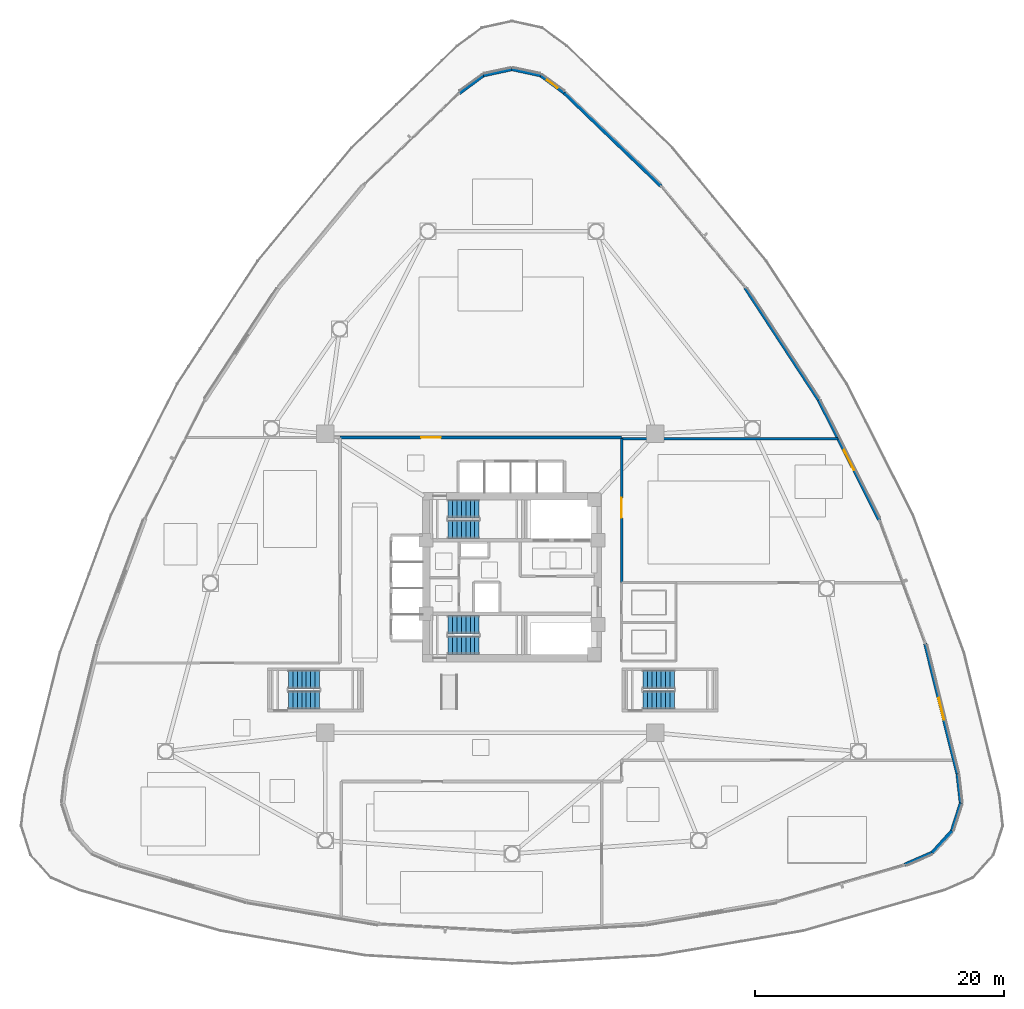
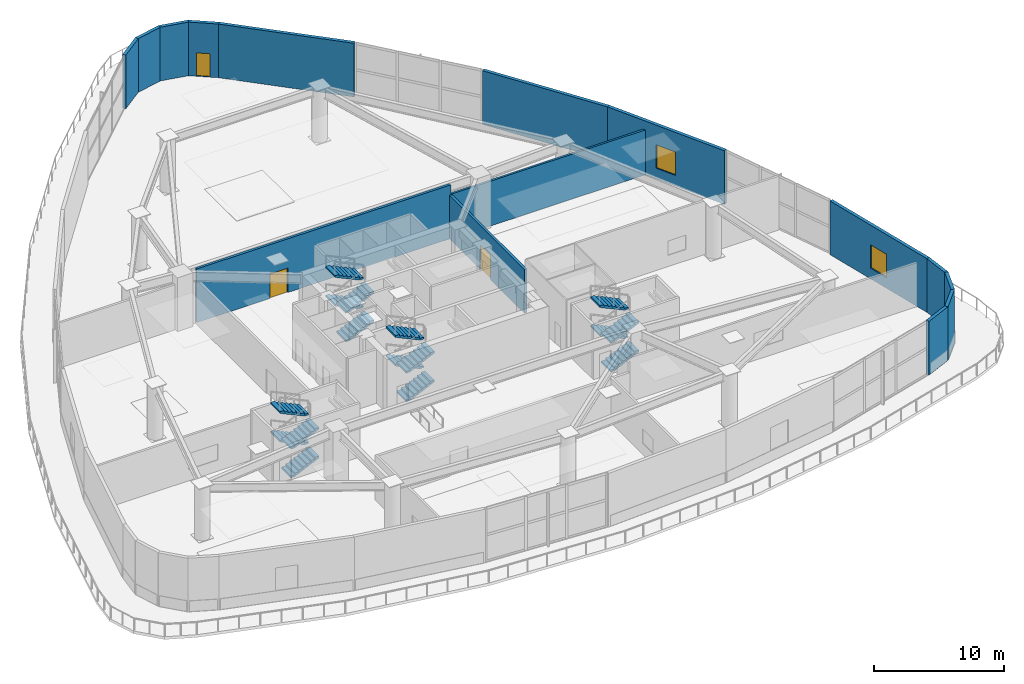
# One storey, part 15 of 25: 16 stair flights, 15 walls, 3 doors, 2 windows, 5 openings, 4 elements without a shape of their own.
"""IFC4 building model written with IfcOpenShell, lengths in metres."""

from ifc_helpers import new_model, si_unit, direction, frame, frame_2d, origin, place, context, subcontext, project, spatial, polyline, rectangle, outline, extrude, material, layer, layer_set, type_object, element, fill, aggregate, save


model = new_model("IFC4")

# Units and contexts
model_context = context("Model", 3, precision=1e-05, world=origin(), true_north=direction((0.0, 1.0)))
body_context = subcontext(model_context, "Body", "Model", "MODEL_VIEW")
ifc_project = project(units=[si_unit("LENGTHUNIT", "METRE"), si_unit("AREAUNIT", "SQUARE_METRE"), si_unit("VOLUMEUNIT", "CUBIC_METRE"), si_unit("PLANEANGLEUNIT", "RADIAN"), si_unit("MASSUNIT", "GRAM", prefix="KILO")], contexts=[model_context])

# Site, building, storey
site_placement = place(None, origin())
site = spatial("IfcSite", under=ifc_project, at=site_placement, CompositionType="ELEMENT")
building_placement = place(site_placement, origin())
building = spatial("IfcBuilding", under=site, at=building_placement, Name="Tavelor Broadcast Tower", CompositionType="ELEMENT")
storey_placement = place(building_placement, frame((0.0, 0.0, 11.39990234375)))
storey = spatial("IfcBuildingStorey", under=building, at=storey_placement, Name="L02", CompositionType="ELEMENT", Elevation=11.39990234375)

# Wall
ifc_material_1 = material(Name="Calcium Silicate Fire Board 180 mm", Category="gypsum")
ifc_layer_1 = layer(ifc_material_1, 0.179931640625)
ifc_layer_set_1 = layer_set([ifc_layer_1], Name="Calcium Silicate Fire Board 180 mm")
wall_type_1 = type_object("IfcWallType", Name="Fire-Rated Corridor Partition Wall 180 mm", PredefinedType="PARTITIONING", material=ifc_layer_set_1)
wall_1_placement = place(storey_placement, frame((58.800048828125, 56.10009765625, 0.0), z_axis=(0.0, 0.0, 1.0), x_axis=(1.0, 0.0, 0.0)))
element("IfcWall", 1, at=wall_1_placement, inside=storey, type_object=wall_type_1, Name="L02 East Room North Wall", PredefinedType="PARTITIONING", context=body_context, shape_type="SweptSolid", body=[
    extrude(rectangle(XDim=17.3388671875, YDim=0.179931640625, at=frame_2d((8.66943359375, 0.0))), origin(), (0.0, 0.0, 1.0), 4.22509765625),
])

# Wall, opening, door
ifc_material_2 = material(Name="Precast Concrete C40/50", Category="concrete")
ifc_layer_2 = layer(ifc_material_2, 0.280029296875)
ifc_layer_set_2 = layer_set([ifc_layer_2], Name="Precast Concrete C40/50")
wall_type_2 = type_object("IfcWallType", Name="Insulated Precast Terracotta Facade Wall 280 mm", PredefinedType="STANDARD", material=ifc_layer_set_2)
wall_2_placement = place(storey_placement, frame((54.197021484375, 83.853515625, 0.0), z_axis=(0.0, 0.0, 1.0), x_axis=(-0.804367171919, 0.594132521194, 0.0)))
wall_2 = element("IfcWall", 2, at=wall_2_placement, inside=storey, type_object=wall_type_2, Name="L02 Precast Terracotta Facade Wall 01", PredefinedType="STANDARD", context=body_context, shape_type="SweptSolid", body=[
    extrude(rectangle(XDim=2.389892578125, YDim=0.280029296875, at=frame_2d((1.19482421875, 0.0))), origin(), (0.0, 0.0, 1.0), 5.050048828125),
])
opening_1_placement = place(wall_2_placement, frame((0.669921875, 0.0, 0.0)))
opening_1 = element("IfcOpeningElement", 3, at=opening_1_placement, cuts=wall_2, Name="Opening DR52", PredefinedType="OPENING", context=body_context, shape_type="SweptSolid", body=[
    extrude(rectangle(XDim=1.050048828125, YDim=2.199951171875, at=frame_2d((0.52490234375, 1.10009765625))), frame((0.0, 0.14990234375, 0.0), z_axis=(0.0, -1.0, 0.0), x_axis=(1.0, 0.0, 0.0)), (0.0, 0.0, 1.0), 0.300048828125),
])
ifc_material_3 = material(Name="Architectural Anodized Aluminium", Category="aluminium")
door_type_1 = type_object("IfcDoorType", Name="Terrace Garden Glazed Access Door 1050x2200", OperationType="NOTDEFINED", PredefinedType="DOOR", material=ifc_material_3)
door_1_placement = place(opening_1_placement, origin())
door_1 = element("IfcDoor", 4, at=door_1_placement, inside=storey, type_object=door_type_1, Name="L02 Terrace 1 Glazed Access Door", OperationType="SINGLE_SWING_LEFT", OverallHeight=2.199951171875, OverallWidth=1.050048828125, PredefinedType="DOOR", context=body_context, shape_type="SweptSolid", body=[
    extrude(rectangle(XDim=1.050048828125, YDim=2.199951171875, at=frame_2d((0.52490234375, 1.10009765625))), frame((0.0, 0.02490234375, 0.0), z_axis=(0.0, -1.0, 0.0), x_axis=(1.0, 0.0, 0.0)), (0.0, 0.0, 1.0), 0.050048828125),
])
fill(opening_1, door_1)

# Walls
for number, where, z_axis, x_axis, name in (
    (5, (52.30126953125, 85.26123046875, 0.0), (0.0, 0.0, 1.0), (-0.977584718196, 0.210542439308, 0.0), "L02 Precast Terracotta Facade Wall 02"),
    (6, (50.0146484375, 85.760009765625, 0.0), (0.0, 0.0, 1.0), (-0.977584718196, -0.210542439308, 0.0), "L02 Precast Terracotta Facade Wall 03"),
):
    element("IfcWall", number, at=place(storey_placement, frame(where, z_axis=z_axis, x_axis=x_axis)), inside=storey, type_object=wall_type_2, Name=name, PredefinedType="STANDARD", context=body_context, shape_type="SweptSolid", body=[
        extrude(rectangle(XDim=2.369140625, YDim=0.280029296875, at=frame_2d((1.1845703125, 0.0))), origin(), (0.0, 0.0, 1.0), 5.050048828125),
    ])
for number, where, z_axis, x_axis, name in (
    (7, (47.725341796875, 85.2734375, 0.0), (0.0, 0.0, 1.0), (-0.804368769198, -0.594130358709, 0.0), "L02 Precast Terracotta Facade Wall 04"),
    (8, (81.495361328125, 21.914794921875, 0.0), (0.0, 0.0, 1.0), (0.916714689294, 0.399542461363, 0.0), "L02 Precast Terracotta Facade Wall 21"),
):
    element("IfcWall", number, at=place(storey_placement, frame(where, z_axis=z_axis, x_axis=x_axis)), inside=storey, type_object=wall_type_2, Name=name, PredefinedType="STANDARD", context=body_context, shape_type="SweptSolid", body=[
        extrude(rectangle(XDim=2.448974609375, YDim=0.280029296875, at=frame_2d((1.224609375, 0.0))), origin(), (0.0, 0.0, 1.0), 5.050048828125),
    ])
wall_3_placement = place(storey_placement, frame((83.716796875, 22.876220703125, 0.0), z_axis=(0.0, 0.0, 1.0), x_axis=(0.670983479807, 0.741472298758, 0.0)))
element("IfcWall", 9, at=wall_3_placement, inside=storey, type_object=wall_type_2, Name="L02 Precast Terracotta Facade Wall 22", PredefinedType="STANDARD", context=body_context, shape_type="SweptSolid", body=[
    extrude(rectangle(XDim=2.369140625, YDim=0.280029296875, at=frame_2d((1.1845703125, 0.0))), origin(), (0.0, 0.0, 1.0), 5.050048828125),
])
wall_4_placement = place(storey_placement, frame((85.291748046875, 24.607421875, 0.0), z_axis=(0.0, 0.0, 1.0), x_axis=(0.30659625248, 0.951839659799, 0.0)))
element("IfcWall", 10, at=wall_4_placement, inside=storey, type_object=wall_type_2, Name="L02 Precast Terracotta Facade Wall 23", PredefinedType="STANDARD", context=body_context, shape_type="SweptSolid", body=[
    extrude(rectangle(XDim=2.368896484375, YDim=0.280029296875, at=frame_2d((1.1845703125, 0.0))), origin(), (0.0, 0.0, 1.0), 5.050048828125),
])
wall_5_placement = place(storey_placement, frame((86.01513671875, 26.833251953125, 0.0), z_axis=(0.0, 0.0, 1.0), x_axis=(-0.112359618556, 0.993667608468, 0.0)))
element("IfcWall", 11, at=wall_5_placement, inside=storey, type_object=wall_type_2, Name="L02 Precast Terracotta Facade Wall 24", PredefinedType="STANDARD", context=body_context, shape_type="SweptSolid", body=[
    extrude(rectangle(XDim=2.39013671875, YDim=0.280029296875, at=frame_2d((1.195068359375, 0.0))), origin(), (0.0, 0.0, 1.0), 5.050048828125),
])

# Wall, opening, window
wall_6_placement = place(storey_placement, frame((85.751953125, 29.1787109375, 0.0), z_axis=(0.0, 0.0, 1.0), x_axis=(-0.240568039918, 0.970632277523, 0.0)))
wall_6 = element("IfcWall", 12, at=wall_6_placement, inside=storey, type_object=wall_type_2, Name="L02 Precast Terracotta Facade Wall 25", PredefinedType="STANDARD", context=body_context, shape_type="SweptSolid", body=[
    extrude(rectangle(XDim=10.80517578125, YDim=0.280029296875, at=frame_2d((5.402587890625, 0.0))), origin(), (0.0, 0.0, 1.0), 5.050048828125),
])
opening_2_placement = place(wall_6_placement, frame((4.502685546875, 0.0, 1.0)))
opening_2 = element("IfcOpeningElement", 13, at=opening_2_placement, cuts=wall_6, Name="Opening WN11", PredefinedType="OPENING", context=body_context, shape_type="SweptSolid", body=[
    extrude(rectangle(XDim=1.800048828125, YDim=2.199951171875, at=frame_2d((0.89990234375, 1.10009765625))), frame((0.0, 0.14990234375, 0.0), z_axis=(0.0, -1.0, 0.0), x_axis=(1.0, 0.0, 0.0)), (0.0, 0.0, 1.0), 0.300048828125),
])
ifc_material_4 = material(Name="Acoustic Double Glazing 28 mm", Category="glass")
window_type = type_object("IfcWindowType", Name="Podium Studio Acoustic Punched Window 1800x2200", PartitioningType="SINGLE_PANEL", PredefinedType="WINDOW", material=ifc_material_4)
window_1_placement = place(opening_2_placement, origin())
window_1 = element("IfcWindow", 14, at=window_1_placement, inside=storey, type_object=window_type, Name="L02 Broadcast Facade Window 25", OverallHeight=2.199951171875, OverallWidth=1.800048828125, PartitioningType="SINGLE_PANEL", PredefinedType="WINDOW", context=body_context, shape_type="SweptSolid", body=[
    extrude(rectangle(XDim=1.800048828125, YDim=2.199951171875, at=frame_2d((0.89990234375, 1.10009765625))), frame((0.0, 0.030029296875, 0.0), z_axis=(0.0, -1.0, 0.0), x_axis=(1.0, 0.0, 0.0)), (0.0, 0.0, 1.0), 0.06005859375),
])
fill(opening_2, window_1)

wall_7_placement = place(storey_placement, frame((79.476318359375, 49.576904296875, 0.0), z_axis=(0.0, 0.0, 1.0), x_axis=(-0.450617203549, 0.892717276558, 0.0)))
wall_7 = element("IfcWall", 15, at=wall_7_placement, inside=storey, type_object=wall_type_2, Name="L02 Precast Terracotta Facade Wall 27", PredefinedType="STANDARD", context=body_context, shape_type="SweptSolid", body=[
    extrude(rectangle(XDim=10.806640625, YDim=0.280029296875, at=frame_2d((5.4033203125, 0.0))), origin(), (0.0, 0.0, 1.0), 5.050048828125),
])
opening_3_placement = place(wall_7_placement, frame((4.503173828125, 0.0, 1.0)))
opening_3 = element("IfcOpeningElement", 16, at=opening_3_placement, cuts=wall_7, Name="Opening WN11", PredefinedType="OPENING", context=body_context, shape_type="SweptSolid", body=[
    extrude(rectangle(XDim=1.800048828125, YDim=2.199951171875, at=frame_2d((0.89990234375, 1.10009765625))), frame((0.0, 0.14990234375, 0.0), z_axis=(0.0, -1.0, 0.0), x_axis=(1.0, 0.0, 0.0)), (0.0, 0.0, 1.0), 0.300048828125),
])
window_2_placement = place(opening_3_placement, origin())
window_2 = element("IfcWindow", 17, at=window_2_placement, inside=storey, type_object=window_type, Name="L02 Broadcast Facade Window 27", OverallHeight=2.199951171875, OverallWidth=1.800048828125, PartitioningType="SINGLE_PANEL", PredefinedType="WINDOW", context=body_context, shape_type="SweptSolid", body=[
    extrude(rectangle(XDim=1.800048828125, YDim=2.199951171875, at=frame_2d((0.89990234375, 1.10009765625))), frame((0.0, 0.030029296875, 0.0), z_axis=(0.0, -1.0, 0.0), x_axis=(1.0, 0.0, 0.0)), (0.0, 0.0, 1.0), 0.06005859375),
])
fill(opening_3, window_2)

# Walls
wall_8_placement = place(storey_placement, frame((74.62158203125, 59.197998046875, 0.0), z_axis=(0.0, 0.0, 1.0), x_axis=(-0.547794036088, 0.836613228456, 0.0)))
element("IfcWall", 18, at=wall_8_placement, inside=storey, type_object=wall_type_2, Name="L02 Precast Terracotta Facade Wall 28", PredefinedType="STANDARD", context=body_context, shape_type="SweptSolid", body=[
    extrude(rectangle(XDim=10.806396484375, YDim=0.280029296875, at=frame_2d((5.4033203125, 0.0))), origin(), (0.0, 0.0, 1.0), 5.050048828125),
])
wall_9_placement = place(storey_placement, frame((61.957275390625, 76.377685546875, 0.0), z_axis=(0.0, 0.0, 1.0), x_axis=(-0.720300979456, 0.693661660318, 0.0)))
element("IfcWall", 19, at=wall_9_placement, inside=storey, type_object=wall_type_2, Name="L02 Precast Terracotta Facade Wall 30", PredefinedType="STANDARD", context=body_context, shape_type="SweptSolid", body=[
    extrude(rectangle(XDim=10.80517578125, YDim=0.280029296875, at=frame_2d((5.402587890625, 0.0))), origin(), (0.0, 0.0, 1.0), 5.050048828125),
])

# Wall, opening, door
ifc_material_5 = material(Name="Masonry Blockwork 220 mm", Category="masonry")
ifc_layer_3 = layer(ifc_material_5, 0.219970703125)
ifc_layer_set_3 = layer_set([ifc_layer_3], Name="Masonry Blockwork 220 mm")
wall_type_3 = type_object("IfcWallType", Name="Studio Double-Leaf Acoustic Isolation Wall 220 mm", PredefinedType="PARTITIONING", material=ifc_layer_set_3)
wall_10_placement = place(storey_placement, frame((36.199951171875, 56.199951171875, 0.0), z_axis=(0.0, 0.0, 1.0), x_axis=(1.0, 0.0, 0.0)))
wall_10 = element("IfcWall", 20, at=wall_10_placement, inside=storey, type_object=wall_type_3, Name="L02 North Hall Concourse Wall", PredefinedType="PARTITIONING", context=body_context, shape_type="SweptSolid", body=[
    extrude(rectangle(XDim=22.60009765625, YDim=0.219970703125, at=frame_2d((11.300048828125, 0.0))), origin(), (0.0, 0.0, 1.0), 5.050048828125),
])
opening_4_placement = place(wall_10_placement, frame((6.5, 0.0, 0.0)))
opening_4 = element("IfcOpeningElement", 21, at=opening_4_placement, cuts=wall_10, Name="Opening DR27", PredefinedType="OPENING", context=body_context, shape_type="SweptSolid", body=[
    extrude(rectangle(XDim=1.60009765625, YDim=2.300048828125, at=frame_2d((0.800048828125, 1.14990234375))), frame((0.0, 0.1201171875, 0.0), z_axis=(0.0, -1.0, 0.0), x_axis=(1.0, 0.0, 0.0)), (0.0, 0.0, 1.0), 0.239990234375),
])
ifc_material_6 = material(Name="Steel Acoustic Composite", Category="steel")
door_type_2 = type_object("IfcDoorType", Name="Studio Acoustic Sound-Lock Double Door 1600x2300", OperationType="NOTDEFINED", PredefinedType="DOOR", material=ifc_material_6)
door_2_placement = place(opening_4_placement, origin())
door_2 = element("IfcDoor", 22, at=door_2_placement, inside=storey, type_object=door_type_2, Name="L02 Podcast Recording Complex Door", OperationType="SINGLE_SWING_RIGHT", OverallHeight=2.300048828125, OverallWidth=1.60009765625, PredefinedType="DOOR", context=body_context, shape_type="SweptSolid", body=[
    extrude(rectangle(XDim=1.60009765625, YDim=2.300048828125, at=frame_2d((0.800048828125, 1.14990234375))), frame((0.0, 0.02490234375, 0.0), z_axis=(0.0, -1.0, 0.0), x_axis=(1.0, 0.0, 0.0)), (0.0, 0.0, 1.0), 0.050048828125),
])
fill(opening_4, door_2)

wall_11_placement = place(storey_placement, frame((58.800048828125, 44.550048828125, 0.0), z_axis=(0.0, 0.0, 1.0), x_axis=(0.0, 1.0, 0.0)))
wall_11 = element("IfcWall", 23, at=wall_11_placement, inside=storey, type_object=wall_type_3, Name="L02 Audio Mastering Room Concourse Wall", PredefinedType="PARTITIONING", context=body_context, shape_type="SweptSolid", body=[
    extrude(rectangle(XDim=11.550048828125, YDim=0.219970703125, at=frame_2d((5.77490234375, 0.0))), origin(), (0.0, 0.0, 1.0), 4.125),
])
opening_5_placement = place(wall_11_placement, frame((5.199951171875, 0.0, 0.0)))
opening_5 = element("IfcOpeningElement", 24, at=opening_5_placement, cuts=wall_11, Name="Opening DR27", PredefinedType="OPENING", context=body_context, shape_type="SweptSolid", body=[
    extrude(rectangle(XDim=1.60009765625, YDim=2.300048828125, at=frame_2d((0.800048828125, 1.14990234375))), frame((0.0, 0.1201171875, 0.0), z_axis=(0.0, -1.0, 0.0), x_axis=(1.0, 0.0, 0.0)), (0.0, 0.0, 1.0), 0.239990234375),
])
door_3_placement = place(opening_5_placement, origin())
door_3 = element("IfcDoor", 25, at=door_3_placement, inside=storey, type_object=door_type_2, Name="L02 Audio Mastering Room Acoustic Door", OperationType="DOUBLE_DOOR_SINGLE_SWING", OverallHeight=2.300048828125, OverallWidth=1.60009765625, PredefinedType="DOOR", context=body_context, shape_type="SweptSolid", body=[
    extrude(rectangle(XDim=1.60009765625, YDim=2.300048828125, at=frame_2d((0.800048828125, 1.14990234375))), frame((0.0, 0.02490234375, 0.0), z_axis=(0.0, -1.0, 0.0), x_axis=(1.0, 0.0, 0.0)), (0.0, 0.0, 1.0), 0.050048828125),
])
fill(opening_5, door_3)

# Stair, stair flights
ifc_material_7 = material(Name="Concrete C40/50", Category="concrete")
stair_type = type_object("IfcStairType", Name="Reinforced Concrete Protected Dogleg Stair 1450 mm", PredefinedType="HALF_TURN_STAIR", material=ifc_material_7)
stair_1_placement = place(storey_placement, origin())
stair_1 = element("IfcStair", 26, at=stair_1_placement, inside=storey, type_object=stair_type, Name="L02 Protected Core Exit Stair ST1", PredefinedType="HALF_TURN_STAIR")
stair_flight_type = type_object("IfcStairFlightType", Name="Reinforced Concrete Stair Flight 1450 mm", PredefinedType="STRAIGHT", material=ifc_material_7)
stair_flight_1_placement = place(storey_placement, frame((44.85009765625, 48.824951171875, 0.0), z_axis=(0.0, 0.0, 1.0), x_axis=(1.0, 0.0, 0.0)))
stair_flight_1 = element("IfcStairFlight", 27, at=stair_flight_1_placement, type_object=stair_flight_type, Name="ST1 flight 1", NumberOfRisers=8, NumberOfTreads=7, PredefinedType="STRAIGHT", RiserHeight=0.16875, TreadLength=0.36, context=body_context, shape_type="SweptSolid", body=[
    extrude(outline(polyline([(0.0, 0.0), (0.0, 0.168701171875), (0.360107421875, 0.168701171875), (0.360107421875, 0.33740234375), (0.719970703125, 0.33740234375), (0.719970703125, 0.50634765625), (1.080078125, 0.50634765625), (1.080078125, 0.675048828125), (1.43994140625, 0.675048828125), (1.43994140625, 0.84375), (1.800048828125, 0.84375), (1.800048828125, 1.012451171875), (2.159912109375, 1.012451171875), (2.159912109375, 1.18115234375), (2.52001953125, 1.18115234375), (2.52001953125, 1.35009765625), (2.52001953125, 1.015625), (0.353271484375, 0.0), (0.0, 0.0)])), frame((0.0, 0.72509765625, 0.0), z_axis=(0.0, -1.0, 0.0), x_axis=(1.0, 0.0, 0.0)), (0.0, 0.0, 1.0), 1.449951171875),
])
stair_flight_2_placement = place(storey_placement, frame((47.3701171875, 50.47509765625, 1.35009765625), z_axis=(0.0, 0.0, 1.0), x_axis=(-1.0, 0.0, 0.0)))
stair_flight_2 = element("IfcStairFlight", 28, at=stair_flight_2_placement, type_object=stair_flight_type, Name="ST1 flight 2", NumberOfRisers=8, NumberOfTreads=7, PredefinedType="STRAIGHT", RiserHeight=0.16875, TreadLength=0.36, context=body_context, shape_type="SweptSolid", body=[
    extrude(outline(polyline([(0.0, 0.0), (0.0, 0.168701171875), (0.360107421875, 0.168701171875), (0.360107421875, 0.33740234375), (0.719970703125, 0.33740234375), (0.719970703125, 0.50634765625), (1.080078125, 0.50634765625), (1.080078125, 0.675048828125), (1.43994140625, 0.675048828125), (1.43994140625, 0.84375), (1.800048828125, 0.84375), (1.800048828125, 1.012451171875), (2.159912109375, 1.012451171875), (2.159912109375, 1.18115234375), (2.52001953125, 1.18115234375), (2.52001953125, 1.35009765625), (2.52001953125, 1.015625), (0.353271484375, 0.0), (0.0, 0.0)])), frame((0.0, 0.72509765625, 0.0), z_axis=(0.0, -1.0, 0.0), x_axis=(1.0, 0.0, 0.0)), (0.0, 0.0, 1.0), 1.449951171875),
])
stair_flight_3_placement = place(storey_placement, frame((44.85009765625, 48.824951171875, 2.7001953125), z_axis=(0.0, 0.0, 1.0), x_axis=(1.0, 0.0, 0.0)))
stair_flight_3 = element("IfcStairFlight", 29, at=stair_flight_3_placement, type_object=stair_flight_type, Name="ST1 flight 3", NumberOfRisers=8, NumberOfTreads=7, PredefinedType="STRAIGHT", RiserHeight=0.16875, TreadLength=0.36, context=body_context, shape_type="SweptSolid", body=[
    extrude(outline(polyline([(0.0, 0.0), (0.0, 0.168701171875), (0.360107421875, 0.168701171875), (0.360107421875, 0.33740234375), (0.719970703125, 0.33740234375), (0.719970703125, 0.50634765625), (1.080078125, 0.50634765625), (1.080078125, 0.675048828125), (1.43994140625, 0.675048828125), (1.43994140625, 0.84375), (1.800048828125, 0.84375), (1.800048828125, 1.012451171875), (2.159912109375, 1.012451171875), (2.159912109375, 1.18115234375), (2.52001953125, 1.18115234375), (2.52001953125, 1.35009765625), (2.52001953125, 1.015625), (0.353271484375, 0.0), (0.0, 0.0)])), frame((0.0, 0.72509765625, 0.0), z_axis=(0.0, -1.0, 0.0), x_axis=(1.0, 0.0, 0.0)), (0.0, 0.0, 1.0), 1.449951171875),
])
stair_flight_4_placement = place(storey_placement, frame((47.3701171875, 50.47509765625, 4.050048828125), z_axis=(0.0, 0.0, 1.0), x_axis=(-1.0, 0.0, 0.0)))
stair_flight_4 = element("IfcStairFlight", 30, at=stair_flight_4_placement, type_object=stair_flight_type, Name="ST1 flight 4", NumberOfRisers=8, NumberOfTreads=7, PredefinedType="STRAIGHT", RiserHeight=0.16875, TreadLength=0.36, context=body_context, shape_type="SweptSolid", body=[
    extrude(outline(polyline([(0.0, 0.0), (0.0, 0.168701171875), (0.360107421875, 0.168701171875), (0.360107421875, 0.33740234375), (0.719970703125, 0.33740234375), (0.719970703125, 0.50634765625), (1.080078125, 0.50634765625), (1.080078125, 0.675048828125), (1.43994140625, 0.675048828125), (1.43994140625, 0.84375), (1.800048828125, 0.84375), (1.800048828125, 1.012451171875), (2.159912109375, 1.012451171875), (2.159912109375, 1.18115234375), (2.52001953125, 1.18115234375), (2.52001953125, 1.35009765625), (2.52001953125, 1.015625), (0.353271484375, 0.0), (0.0, 0.0)])), frame((0.0, 0.72509765625, 0.0), z_axis=(0.0, -1.0, 0.0), x_axis=(1.0, 0.0, 0.0)), (0.0, 0.0, 1.0), 1.449951171875),
])
aggregate(stair_1, [stair_flight_1, stair_flight_2, stair_flight_3, stair_flight_4])

stair_2_placement = place(storey_placement, origin())
stair_2 = element("IfcStair", 31, at=stair_2_placement, inside=storey, type_object=stair_type, Name="L02 Protected Core Exit Stair ST2", PredefinedType="HALF_TURN_STAIR")
stair_flight_5_placement = place(storey_placement, frame((44.85009765625, 39.52490234375, 0.0), z_axis=(0.0, 0.0, 1.0), x_axis=(1.0, 0.0, 0.0)))
stair_flight_5 = element("IfcStairFlight", 32, at=stair_flight_5_placement, type_object=stair_flight_type, Name="ST2 flight 1", NumberOfRisers=8, NumberOfTreads=7, PredefinedType="STRAIGHT", RiserHeight=0.16875, TreadLength=0.36, context=body_context, shape_type="SweptSolid", body=[
    extrude(outline(polyline([(0.0, 0.0), (0.0, 0.168701171875), (0.360107421875, 0.168701171875), (0.360107421875, 0.33740234375), (0.719970703125, 0.33740234375), (0.719970703125, 0.50634765625), (1.080078125, 0.50634765625), (1.080078125, 0.675048828125), (1.43994140625, 0.675048828125), (1.43994140625, 0.84375), (1.800048828125, 0.84375), (1.800048828125, 1.012451171875), (2.159912109375, 1.012451171875), (2.159912109375, 1.18115234375), (2.52001953125, 1.18115234375), (2.52001953125, 1.35009765625), (2.52001953125, 1.015625), (0.353271484375, 0.0), (0.0, 0.0)])), frame((0.0, 0.72509765625, 0.0), z_axis=(0.0, -1.0, 0.0), x_axis=(1.0, 0.0, 0.0)), (0.0, 0.0, 1.0), 1.449951171875),
])
stair_flight_6_placement = place(storey_placement, frame((47.3701171875, 41.175048828125, 1.35009765625), z_axis=(0.0, 0.0, 1.0), x_axis=(-1.0, 0.0, 0.0)))
stair_flight_6 = element("IfcStairFlight", 33, at=stair_flight_6_placement, type_object=stair_flight_type, Name="ST2 flight 2", NumberOfRisers=8, NumberOfTreads=7, PredefinedType="STRAIGHT", RiserHeight=0.16875, TreadLength=0.36, context=body_context, shape_type="SweptSolid", body=[
    extrude(outline(polyline([(0.0, 0.0), (0.0, 0.168701171875), (0.360107421875, 0.168701171875), (0.360107421875, 0.33740234375), (0.719970703125, 0.33740234375), (0.719970703125, 0.50634765625), (1.080078125, 0.50634765625), (1.080078125, 0.675048828125), (1.43994140625, 0.675048828125), (1.43994140625, 0.84375), (1.800048828125, 0.84375), (1.800048828125, 1.012451171875), (2.159912109375, 1.012451171875), (2.159912109375, 1.18115234375), (2.52001953125, 1.18115234375), (2.52001953125, 1.35009765625), (2.52001953125, 1.015625), (0.353271484375, 0.0), (0.0, 0.0)])), frame((0.0, 0.72509765625, 0.0), z_axis=(0.0, -1.0, 0.0), x_axis=(1.0, 0.0, 0.0)), (0.0, 0.0, 1.0), 1.449951171875),
])
stair_flight_7_placement = place(storey_placement, frame((44.85009765625, 39.52490234375, 2.7001953125), z_axis=(0.0, 0.0, 1.0), x_axis=(1.0, 0.0, 0.0)))
stair_flight_7 = element("IfcStairFlight", 34, at=stair_flight_7_placement, type_object=stair_flight_type, Name="ST2 flight 3", NumberOfRisers=8, NumberOfTreads=7, PredefinedType="STRAIGHT", RiserHeight=0.16875, TreadLength=0.36, context=body_context, shape_type="SweptSolid", body=[
    extrude(outline(polyline([(0.0, 0.0), (0.0, 0.168701171875), (0.360107421875, 0.168701171875), (0.360107421875, 0.33740234375), (0.719970703125, 0.33740234375), (0.719970703125, 0.50634765625), (1.080078125, 0.50634765625), (1.080078125, 0.675048828125), (1.43994140625, 0.675048828125), (1.43994140625, 0.84375), (1.800048828125, 0.84375), (1.800048828125, 1.012451171875), (2.159912109375, 1.012451171875), (2.159912109375, 1.18115234375), (2.52001953125, 1.18115234375), (2.52001953125, 1.35009765625), (2.52001953125, 1.015625), (0.353271484375, 0.0), (0.0, 0.0)])), frame((0.0, 0.72509765625, 0.0), z_axis=(0.0, -1.0, 0.0), x_axis=(1.0, 0.0, 0.0)), (0.0, 0.0, 1.0), 1.449951171875),
])
stair_flight_8_placement = place(storey_placement, frame((47.3701171875, 41.175048828125, 4.050048828125), z_axis=(0.0, 0.0, 1.0), x_axis=(-1.0, 0.0, 0.0)))
stair_flight_8 = element("IfcStairFlight", 35, at=stair_flight_8_placement, type_object=stair_flight_type, Name="ST2 flight 4", NumberOfRisers=8, NumberOfTreads=7, PredefinedType="STRAIGHT", RiserHeight=0.16875, TreadLength=0.36, context=body_context, shape_type="SweptSolid", body=[
    extrude(outline(polyline([(0.0, 0.0), (0.0, 0.168701171875), (0.360107421875, 0.168701171875), (0.360107421875, 0.33740234375), (0.719970703125, 0.33740234375), (0.719970703125, 0.50634765625), (1.080078125, 0.50634765625), (1.080078125, 0.675048828125), (1.43994140625, 0.675048828125), (1.43994140625, 0.84375), (1.800048828125, 0.84375), (1.800048828125, 1.012451171875), (2.159912109375, 1.012451171875), (2.159912109375, 1.18115234375), (2.52001953125, 1.18115234375), (2.52001953125, 1.35009765625), (2.52001953125, 1.015625), (0.353271484375, 0.0), (0.0, 0.0)])), frame((0.0, 0.72509765625, 0.0), z_axis=(0.0, -1.0, 0.0), x_axis=(1.0, 0.0, 0.0)), (0.0, 0.0, 1.0), 1.449951171875),
])
aggregate(stair_2, [stair_flight_5, stair_flight_6, stair_flight_7, stair_flight_8])

stair_3_placement = place(storey_placement, origin())
stair_3 = element("IfcStair", 36, at=stair_3_placement, inside=storey, type_object=stair_type, Name="L02 Podium West Exit Stair ST3", PredefinedType="HALF_TURN_STAIR")
stair_flight_9_placement = place(storey_placement, frame((32.050048828125, 35.125, 0.0), z_axis=(0.0, 0.0, 1.0), x_axis=(1.0, 0.0, 0.0)))
stair_flight_9 = element("IfcStairFlight", 37, at=stair_flight_9_placement, type_object=stair_flight_type, Name="ST3 flight 1", NumberOfRisers=8, NumberOfTreads=7, PredefinedType="STRAIGHT", RiserHeight=0.16875, TreadLength=0.36, context=body_context, shape_type="SweptSolid", body=[
    extrude(outline(polyline([(0.0, 0.0), (0.0, 0.168701171875), (0.360107421875, 0.168701171875), (0.360107421875, 0.33740234375), (0.719970703125, 0.33740234375), (0.719970703125, 0.50634765625), (1.080078125, 0.50634765625), (1.080078125, 0.675048828125), (1.43994140625, 0.675048828125), (1.43994140625, 0.84375), (1.800048828125, 0.84375), (1.800048828125, 1.012451171875), (2.159912109375, 1.012451171875), (2.159912109375, 1.18115234375), (2.52001953125, 1.18115234375), (2.52001953125, 1.35009765625), (2.52001953125, 1.015625), (0.353271484375, 0.0), (0.0, 0.0)])), frame((0.0, 0.72509765625, 0.0), z_axis=(0.0, -1.0, 0.0), x_axis=(1.0, 0.0, 0.0)), (0.0, 0.0, 1.0), 1.449951171875),
])
stair_flight_10_placement = place(storey_placement, frame((34.570068359375, 36.77490234375, 1.35009765625), z_axis=(0.0, 0.0, 1.0), x_axis=(-1.0, 0.0, 0.0)))
stair_flight_10 = element("IfcStairFlight", 38, at=stair_flight_10_placement, type_object=stair_flight_type, Name="ST3 flight 2", NumberOfRisers=8, NumberOfTreads=7, PredefinedType="STRAIGHT", RiserHeight=0.16875, TreadLength=0.36, context=body_context, shape_type="SweptSolid", body=[
    extrude(outline(polyline([(0.0, 0.0), (0.0, 0.168701171875), (0.360107421875, 0.168701171875), (0.360107421875, 0.33740234375), (0.719970703125, 0.33740234375), (0.719970703125, 0.50634765625), (1.080078125, 0.50634765625), (1.080078125, 0.675048828125), (1.43994140625, 0.675048828125), (1.43994140625, 0.84375), (1.800048828125, 0.84375), (1.800048828125, 1.012451171875), (2.159912109375, 1.012451171875), (2.159912109375, 1.18115234375), (2.52001953125, 1.18115234375), (2.52001953125, 1.35009765625), (2.52001953125, 1.015625), (0.353271484375, 0.0), (0.0, 0.0)])), frame((0.0, 0.72509765625, 0.0), z_axis=(0.0, -1.0, 0.0), x_axis=(1.0, 0.0, 0.0)), (0.0, 0.0, 1.0), 1.449951171875),
])
stair_flight_11_placement = place(storey_placement, frame((32.050048828125, 35.125, 2.7001953125), z_axis=(0.0, 0.0, 1.0), x_axis=(1.0, 0.0, 0.0)))
stair_flight_11 = element("IfcStairFlight", 39, at=stair_flight_11_placement, type_object=stair_flight_type, Name="ST3 flight 3", NumberOfRisers=8, NumberOfTreads=7, PredefinedType="STRAIGHT", RiserHeight=0.16875, TreadLength=0.36, context=body_context, shape_type="SweptSolid", body=[
    extrude(outline(polyline([(0.0, 0.0), (0.0, 0.168701171875), (0.360107421875, 0.168701171875), (0.360107421875, 0.33740234375), (0.719970703125, 0.33740234375), (0.719970703125, 0.50634765625), (1.080078125, 0.50634765625), (1.080078125, 0.675048828125), (1.43994140625, 0.675048828125), (1.43994140625, 0.84375), (1.800048828125, 0.84375), (1.800048828125, 1.012451171875), (2.159912109375, 1.012451171875), (2.159912109375, 1.18115234375), (2.52001953125, 1.18115234375), (2.52001953125, 1.35009765625), (2.52001953125, 1.015625), (0.353271484375, 0.0), (0.0, 0.0)])), frame((0.0, 0.72509765625, 0.0), z_axis=(0.0, -1.0, 0.0), x_axis=(1.0, 0.0, 0.0)), (0.0, 0.0, 1.0), 1.449951171875),
])
stair_flight_12_placement = place(storey_placement, frame((34.570068359375, 36.77490234375, 4.050048828125), z_axis=(0.0, 0.0, 1.0), x_axis=(-1.0, 0.0, 0.0)))
stair_flight_12 = element("IfcStairFlight", 40, at=stair_flight_12_placement, type_object=stair_flight_type, Name="ST3 flight 4", NumberOfRisers=8, NumberOfTreads=7, PredefinedType="STRAIGHT", RiserHeight=0.16875, TreadLength=0.36, context=body_context, shape_type="SweptSolid", body=[
    extrude(outline(polyline([(0.0, 0.0), (0.0, 0.168701171875), (0.360107421875, 0.168701171875), (0.360107421875, 0.33740234375), (0.719970703125, 0.33740234375), (0.719970703125, 0.50634765625), (1.080078125, 0.50634765625), (1.080078125, 0.675048828125), (1.43994140625, 0.675048828125), (1.43994140625, 0.84375), (1.800048828125, 0.84375), (1.800048828125, 1.012451171875), (2.159912109375, 1.012451171875), (2.159912109375, 1.18115234375), (2.52001953125, 1.18115234375), (2.52001953125, 1.35009765625), (2.52001953125, 1.015625), (0.353271484375, 0.0), (0.0, 0.0)])), frame((0.0, 0.72509765625, 0.0), z_axis=(0.0, -1.0, 0.0), x_axis=(1.0, 0.0, 0.0)), (0.0, 0.0, 1.0), 1.449951171875),
])
aggregate(stair_3, [stair_flight_9, stair_flight_10, stair_flight_11, stair_flight_12])

stair_4_placement = place(storey_placement, origin())
stair_4 = element("IfcStair", 41, at=stair_4_placement, inside=storey, type_object=stair_type, Name="L02 Podium East Exit Stair ST4", PredefinedType="HALF_TURN_STAIR")
stair_flight_13_placement = place(storey_placement, frame((60.5, 35.125, 0.0), z_axis=(0.0, 0.0, 1.0), x_axis=(1.0, 0.0, 0.0)))
stair_flight_13 = element("IfcStairFlight", 42, at=stair_flight_13_placement, type_object=stair_flight_type, Name="ST4 flight 1", NumberOfRisers=8, NumberOfTreads=7, PredefinedType="STRAIGHT", RiserHeight=0.16875, TreadLength=0.36, context=body_context, shape_type="SweptSolid", body=[
    extrude(outline(polyline([(0.0, 0.0), (0.0, 0.168701171875), (0.360107421875, 0.168701171875), (0.360107421875, 0.33740234375), (0.719970703125, 0.33740234375), (0.719970703125, 0.50634765625), (1.080078125, 0.50634765625), (1.080078125, 0.675048828125), (1.43994140625, 0.675048828125), (1.43994140625, 0.84375), (1.800048828125, 0.84375), (1.800048828125, 1.012451171875), (2.159912109375, 1.012451171875), (2.159912109375, 1.18115234375), (2.52001953125, 1.18115234375), (2.52001953125, 1.35009765625), (2.52001953125, 1.015625), (0.353271484375, 0.0), (0.0, 0.0)])), frame((0.0, 0.72509765625, 0.0), z_axis=(0.0, -1.0, 0.0), x_axis=(1.0, 0.0, 0.0)), (0.0, 0.0, 1.0), 1.449951171875),
])
stair_flight_14_placement = place(storey_placement, frame((63.02001953125, 36.77490234375, 1.35009765625), z_axis=(0.0, 0.0, 1.0), x_axis=(-1.0, 0.0, 0.0)))
stair_flight_14 = element("IfcStairFlight", 43, at=stair_flight_14_placement, type_object=stair_flight_type, Name="ST4 flight 2", NumberOfRisers=8, NumberOfTreads=7, PredefinedType="STRAIGHT", RiserHeight=0.16875, TreadLength=0.36, context=body_context, shape_type="SweptSolid", body=[
    extrude(outline(polyline([(0.0, 0.0), (0.0, 0.168701171875), (0.360107421875, 0.168701171875), (0.360107421875, 0.33740234375), (0.719970703125, 0.33740234375), (0.719970703125, 0.50634765625), (1.080078125, 0.50634765625), (1.080078125, 0.675048828125), (1.43994140625, 0.675048828125), (1.43994140625, 0.84375), (1.800048828125, 0.84375), (1.800048828125, 1.012451171875), (2.159912109375, 1.012451171875), (2.159912109375, 1.18115234375), (2.52001953125, 1.18115234375), (2.52001953125, 1.35009765625), (2.52001953125, 1.015625), (0.353271484375, 0.0), (0.0, 0.0)])), frame((0.0, 0.72509765625, 0.0), z_axis=(0.0, -1.0, 0.0), x_axis=(1.0, 0.0, 0.0)), (0.0, 0.0, 1.0), 1.449951171875),
])
stair_flight_15_placement = place(storey_placement, frame((60.5, 35.125, 2.7001953125), z_axis=(0.0, 0.0, 1.0), x_axis=(1.0, 0.0, 0.0)))
stair_flight_15 = element("IfcStairFlight", 44, at=stair_flight_15_placement, type_object=stair_flight_type, Name="ST4 flight 3", NumberOfRisers=8, NumberOfTreads=7, PredefinedType="STRAIGHT", RiserHeight=0.16875, TreadLength=0.36, context=body_context, shape_type="SweptSolid", body=[
    extrude(outline(polyline([(0.0, 0.0), (0.0, 0.168701171875), (0.360107421875, 0.168701171875), (0.360107421875, 0.33740234375), (0.719970703125, 0.33740234375), (0.719970703125, 0.50634765625), (1.080078125, 0.50634765625), (1.080078125, 0.675048828125), (1.43994140625, 0.675048828125), (1.43994140625, 0.84375), (1.800048828125, 0.84375), (1.800048828125, 1.012451171875), (2.159912109375, 1.012451171875), (2.159912109375, 1.18115234375), (2.52001953125, 1.18115234375), (2.52001953125, 1.35009765625), (2.52001953125, 1.015625), (0.353271484375, 0.0), (0.0, 0.0)])), frame((0.0, 0.72509765625, 0.0), z_axis=(0.0, -1.0, 0.0), x_axis=(1.0, 0.0, 0.0)), (0.0, 0.0, 1.0), 1.449951171875),
])
stair_flight_16_placement = place(storey_placement, frame((63.02001953125, 36.77490234375, 4.050048828125), z_axis=(0.0, 0.0, 1.0), x_axis=(-1.0, 0.0, 0.0)))
stair_flight_16 = element("IfcStairFlight", 45, at=stair_flight_16_placement, type_object=stair_flight_type, Name="ST4 flight 4", NumberOfRisers=8, NumberOfTreads=7, PredefinedType="STRAIGHT", RiserHeight=0.16875, TreadLength=0.36, context=body_context, shape_type="SweptSolid", body=[
    extrude(outline(polyline([(0.0, 0.0), (0.0, 0.168701171875), (0.360107421875, 0.168701171875), (0.360107421875, 0.33740234375), (0.719970703125, 0.33740234375), (0.719970703125, 0.50634765625), (1.080078125, 0.50634765625), (1.080078125, 0.675048828125), (1.43994140625, 0.675048828125), (1.43994140625, 0.84375), (1.800048828125, 0.84375), (1.800048828125, 1.012451171875), (2.159912109375, 1.012451171875), (2.159912109375, 1.18115234375), (2.52001953125, 1.18115234375), (2.52001953125, 1.35009765625), (2.52001953125, 1.015625), (0.353271484375, 0.0), (0.0, 0.0)])), frame((0.0, 0.72509765625, 0.0), z_axis=(0.0, -1.0, 0.0), x_axis=(1.0, 0.0, 0.0)), (0.0, 0.0, 1.0), 1.449951171875),
])
aggregate(stair_4, [stair_flight_13, stair_flight_14, stair_flight_15, stair_flight_16])

save(model, "model.ifc")
